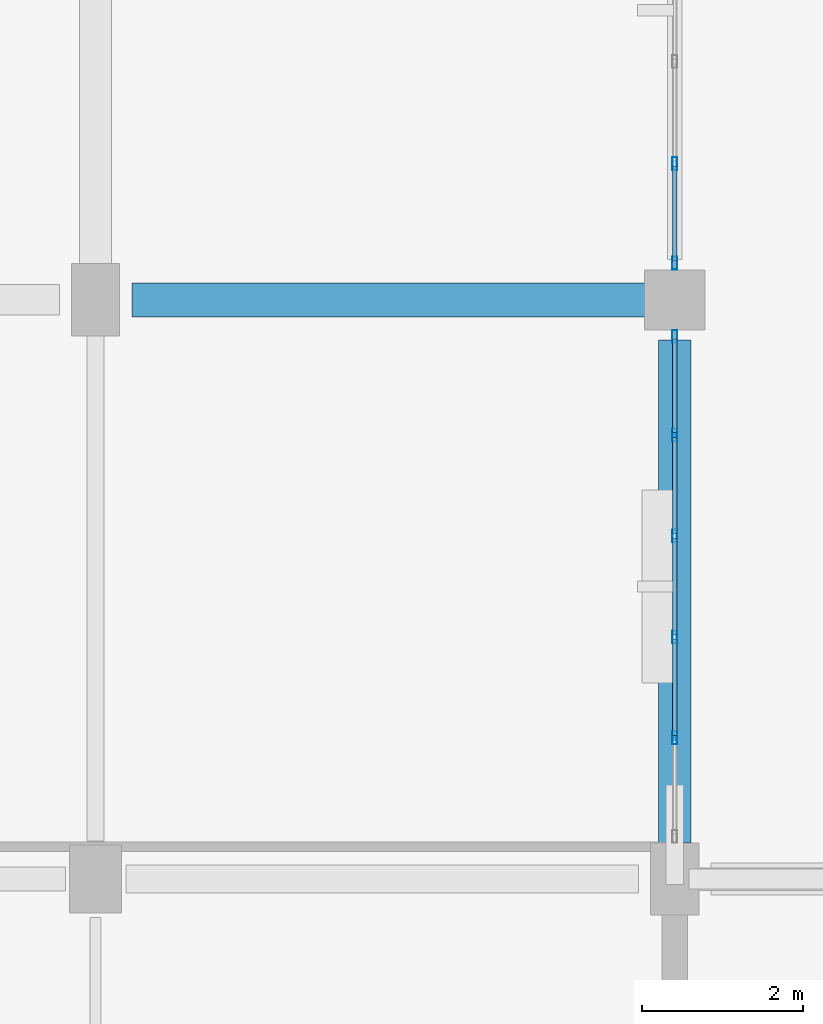
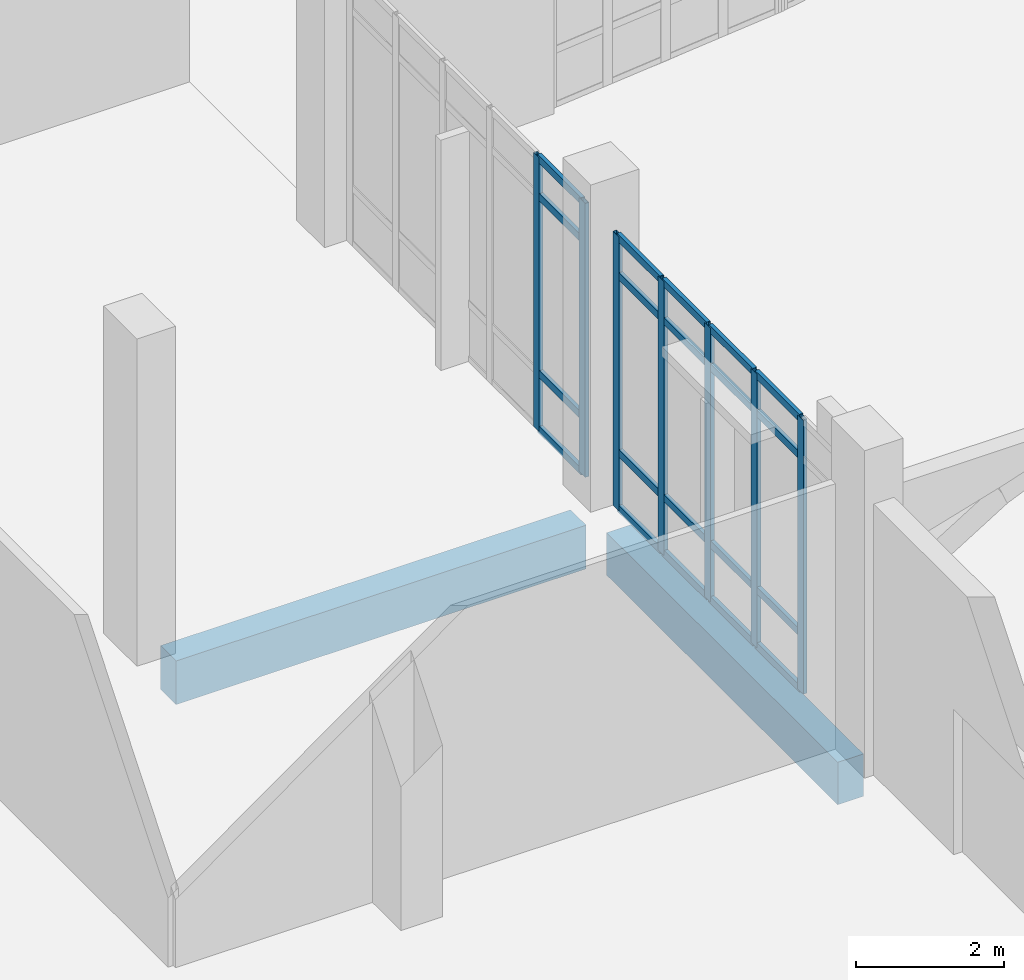
# One storey, part 17 of 110: 27 members, 2 beams, 2 elements without a shape of their own.
"""IFC4 building model written with IfcOpenShell, lengths in metres."""

from ifc_helpers import new_model, si_unit, direction, frame, origin, origin_2d, place, context, subcontext, project, spatial, rectangle, hollow_rectangle, extrude, material, material_profile, profile_set, type_object, element, aggregate, save


model = new_model("IFC4")

# Units and contexts
model_context = context("Model", 3, precision=1e-05, world=origin(), true_north=direction((0.0, 1.0)))
body_context = subcontext(model_context, "Body", "Model", "MODEL_VIEW")
ifc_project = project(units=[si_unit("LENGTHUNIT", "METRE"), si_unit("AREAUNIT", "SQUARE_METRE"), si_unit("VOLUMEUNIT", "CUBIC_METRE"), si_unit("PLANEANGLEUNIT", "RADIAN"), si_unit("MASSUNIT", "GRAM", prefix="KILO")], contexts=[model_context])

# Site, building, storey
site_placement = place(None, origin())
site = spatial("IfcSite", under=ifc_project, at=site_placement, CompositionType="ELEMENT")
building_placement = place(site_placement, origin())
building = spatial("IfcBuilding", under=site, at=building_placement, Name="Kalluvel Institute of Natural Sciences", CompositionType="ELEMENT")
storey_placement = place(building_placement, origin())
storey = spatial("IfcBuildingStorey", under=building, at=storey_placement, Name="L00", CompositionType="ELEMENT", Elevation=0.0)

# Beams
ifc_material_1 = material(Name="Concrete M40", Category="concrete")
ifc_material_profile_1 = material_profile(ifc_material_1, rectangle(XDim=0.39990234375, YDim=0.699951171875, at=origin_2d()), Name="RCB 400x700")
ifc_profile_set_1 = profile_set([ifc_material_profile_1], Name="Concrete M40")
beam_type_1 = type_object("IfcBeamType", Name="BM-RC400x700", PredefinedType="BEAM", material=ifc_profile_set_1)
beam_1_placement = place(storey_placement, frame((35.60009765625, 36.050048828125, -0.669921875), z_axis=(0.0, 1.0, 0.0), x_axis=(-1.0, 0.0, 0.0)))
element("IfcBeam", 1, at=beam_1_placement, inside=storey, type_object=beam_type_1, Name="L00 girder GIR-L00-NS-X356-Y356", PredefinedType="BEAM", context=body_context, shape_type="SweptSolid", body=[
    extrude(rectangle(XDim=0.39990234375, YDim=0.699951171875, at=origin_2d()), origin(), (0.0, 0.0, 1.0), 6.25),
])
ifc_material_profile_2 = material_profile(ifc_material_1, rectangle(XDim=0.419921875, YDim=0.719970703125, at=origin_2d()), Name="RCB 420x720")
ifc_profile_set_2 = profile_set([ifc_material_profile_2], Name="Concrete M40")
beam_type_2 = type_object("IfcBeamType", Name="BM-RC420x720", PredefinedType="BEAM", material=ifc_profile_set_2)
beam_2_placement = place(storey_placement, frame((28.85009765625, 42.800048828125, -0.679931640625), z_axis=(1.0, 0.0, 0.0), x_axis=(0.0, 1.0, 0.0)))
element("IfcBeam", 2, at=beam_2_placement, inside=storey, type_object=beam_type_2, Name="L00 girder GIR-L00-EW-X284-Y428", PredefinedType="BEAM", context=body_context, shape_type="SweptSolid", body=[
    extrude(rectangle(XDim=0.419921875, YDim=0.719970703125, at=origin_2d()), origin(), (0.0, 0.0, 1.0), 6.39990234375),
])

# Curtain wall, members
ifc_material_2 = material(Name="Aluminium AW-6063 T6", Category="aluminium")
curtain_wall_type = type_object("IfcCurtainWallType", Name="CW-DRY-54", PredefinedType="USERDEFINED", material=ifc_material_2)
curtain_wall_1_placement = place(storey_placement, origin())
curtain_wall_1 = element("IfcCurtainWall", 3, at=curtain_wall_1_placement, inside=storey, type_object=curtain_wall_type, Name="L00 Gothic lancet curtain wall CWA-L00-X356-Y361", ObjectType="UNITISED LANCET FACADE", PredefinedType="USERDEFINED")
ifc_material_profile_3 = material_profile(ifc_material_2, hollow_rectangle(XDim=0.06005859375, YDim=0.159912109375, WallThickness=0.00390625, at=origin_2d()), Name="CWM 60x160")
ifc_profile_set_3 = profile_set([ifc_material_profile_3], Name="Aluminium AW-6063 T6")
member_type_1 = type_object("IfcMemberType", Name="CWM-60x160", PredefinedType="MULLION", material=ifc_profile_set_3)
member_1_placement = place(storey_placement, frame((35.60009765625, 37.35498046875, 0.0), z_axis=(0.0, 0.0, 1.0), x_axis=(-1.0, 0.0, 0.0)))
member_1 = element("IfcMember", 4, at=member_1_placement, type_object=member_type_1, Name="CW-04 mullion 2", PredefinedType="MULLION", context=body_context, shape_type="SweptSolid", body=[
    extrude(hollow_rectangle(XDim=0.06005859375, YDim=0.159912109375, WallThickness=0.00390625, at=origin_2d()), origin(), (0.0, 0.0, 1.0), 4.52001953125),
])
member_2_placement = place(storey_placement, frame((35.60009765625, 38.610107421875, 0.0), z_axis=(0.0, 0.0, 1.0), x_axis=(-1.0, 0.0, 0.0)))
member_2 = element("IfcMember", 5, at=member_2_placement, type_object=member_type_1, Name="CW-04 mullion 3", PredefinedType="MULLION", context=body_context, shape_type="SweptSolid", body=[
    extrude(hollow_rectangle(XDim=0.06005859375, YDim=0.159912109375, WallThickness=0.00390625, at=origin_2d()), origin(), (0.0, 0.0, 1.0), 4.52001953125),
])
member_3_placement = place(storey_placement, frame((35.60009765625, 39.864990234375, 0.0), z_axis=(0.0, 0.0, 1.0), x_axis=(-1.0, 0.0, 0.0)))
member_3 = element("IfcMember", 6, at=member_3_placement, type_object=member_type_1, Name="CW-04 mullion 4", PredefinedType="MULLION", context=body_context, shape_type="SweptSolid", body=[
    extrude(hollow_rectangle(XDim=0.06005859375, YDim=0.159912109375, WallThickness=0.00390625, at=origin_2d()), origin(), (0.0, 0.0, 1.0), 4.52001953125),
])
member_4_placement = place(storey_placement, frame((35.60009765625, 41.1201171875, 0.0), z_axis=(0.0, 0.0, 1.0), x_axis=(-1.0, 0.0, 0.0)))
member_4 = element("IfcMember", 7, at=member_4_placement, type_object=member_type_1, Name="CW-04 mullion 5", PredefinedType="MULLION", context=body_context, shape_type="SweptSolid", body=[
    extrude(hollow_rectangle(XDim=0.06005859375, YDim=0.159912109375, WallThickness=0.00390625, at=origin_2d()), origin(), (0.0, 0.0, 1.0), 4.52001953125),
])
member_5_placement = place(storey_placement, frame((35.60009765625, 42.344970703125, 0.0), z_axis=(0.0, 0.0, 1.0), x_axis=(-1.0, 0.0, 0.0)))
member_5 = element("IfcMember", 8, at=member_5_placement, type_object=member_type_1, Name="CW-04 mullion 6", PredefinedType="MULLION", context=body_context, shape_type="SweptSolid", body=[
    extrude(hollow_rectangle(XDim=0.06005859375, YDim=0.159912109375, WallThickness=0.00390625, at=origin_2d()), origin(), (0.0, 0.0, 1.0), 4.52001953125),
])

curtain_wall_2_placement = place(storey_placement, origin())
curtain_wall_2 = element("IfcCurtainWall", 9, at=curtain_wall_2_placement, inside=storey, type_object=curtain_wall_type, Name="L00 Gothic lancet curtain wall CWA-L00-X356-Y432", ObjectType="UNITISED LANCET FACADE", PredefinedType="USERDEFINED")
member_6_placement = place(storey_placement, frame((35.60009765625, 43.2548828125, 0.0), z_axis=(0.0, 0.0, 1.0), x_axis=(-1.0, 0.0, 0.0)))
member_6 = element("IfcMember", 10, at=member_6_placement, type_object=member_type_1, Name="CW-04 mullion 1", PredefinedType="MULLION", context=body_context, shape_type="SweptSolid", body=[
    extrude(hollow_rectangle(XDim=0.06005859375, YDim=0.159912109375, WallThickness=0.00390625, at=origin_2d()), origin(), (0.0, 0.0, 1.0), 4.52001953125),
])
member_7_placement = place(storey_placement, frame((35.60009765625, 44.4951171875, 0.0), z_axis=(0.0, 0.0, 1.0), x_axis=(-1.0, 0.0, 0.0)))
member_7 = element("IfcMember", 11, at=member_7_placement, type_object=member_type_1, Name="CW-04 mullion 2", PredefinedType="MULLION", context=body_context, shape_type="SweptSolid", body=[
    extrude(hollow_rectangle(XDim=0.06005859375, YDim=0.159912109375, WallThickness=0.00390625, at=origin_2d()), origin(), (0.0, 0.0, 1.0), 4.52001953125),
])

# Member
ifc_material_profile_4 = material_profile(ifc_material_2, hollow_rectangle(XDim=0.06005859375, YDim=0.1201171875, WallThickness=0.00390625, at=origin_2d()), Name="CWT 60x120")
ifc_profile_set_4 = profile_set([ifc_material_profile_4], Name="Aluminium AW-6063 T6")
member_type_2 = type_object("IfcMemberType", Name="CWT-60x120", PredefinedType="USERDEFINED", material=ifc_profile_set_4)
member_8_placement = place(storey_placement, frame((35.60009765625, 37.385009765625, 0.030029296875), z_axis=(0.0, 1.0, 0.0), x_axis=(-1.0, 0.0, 0.0)))
member_8 = element("IfcMember", 12, at=member_8_placement, type_object=member_type_2, Name="CW-04 transom 2.1", ObjectType="TRANSOM", PredefinedType="USERDEFINED", context=body_context, shape_type="SweptSolid", body=[
    extrude(hollow_rectangle(XDim=0.06005859375, YDim=0.1201171875, WallThickness=0.00390625, at=origin_2d()), origin(), (0.0, 0.0, 1.0), 1.195068359375),
])

member_9_placement = place(storey_placement, frame((35.60009765625, 37.385009765625, 0.949951171875), z_axis=(0.0, 1.0, 0.0), x_axis=(-1.0, 0.0, 0.0)))
member_9 = element("IfcMember", 13, at=member_9_placement, type_object=member_type_2, Name="CW-04 transom 2.2", ObjectType="TRANSOM", PredefinedType="USERDEFINED", context=body_context, shape_type="SweptSolid", body=[
    extrude(hollow_rectangle(XDim=0.06005859375, YDim=0.1201171875, WallThickness=0.00390625, at=origin_2d()), origin(), (0.0, 0.0, 1.0), 1.195068359375),
])

member_10_placement = place(storey_placement, frame((35.60009765625, 37.385009765625, 3.8701171875), z_axis=(0.0, 1.0, 0.0), x_axis=(-1.0, 0.0, 0.0)))
member_10 = element("IfcMember", 14, at=member_10_placement, type_object=member_type_2, Name="CW-04 transom 2.3", ObjectType="TRANSOM", PredefinedType="USERDEFINED", context=body_context, shape_type="SweptSolid", body=[
    extrude(hollow_rectangle(XDim=0.06005859375, YDim=0.1201171875, WallThickness=0.00390625, at=origin_2d()), origin(), (0.0, 0.0, 1.0), 1.195068359375),
])

member_11_placement = place(storey_placement, frame((35.60009765625, 37.385009765625, 4.489990234375), z_axis=(0.0, 1.0, 0.0), x_axis=(-1.0, 0.0, 0.0)))
member_11 = element("IfcMember", 15, at=member_11_placement, type_object=member_type_2, Name="CW-04 transom 2.4", ObjectType="TRANSOM", PredefinedType="USERDEFINED", context=body_context, shape_type="SweptSolid", body=[
    extrude(hollow_rectangle(XDim=0.06005859375, YDim=0.1201171875, WallThickness=0.00390625, at=origin_2d()), origin(), (0.0, 0.0, 1.0), 1.195068359375),
])

member_12_placement = place(storey_placement, frame((35.60009765625, 38.639892578125, 0.030029296875), z_axis=(0.0, 1.0, 0.0), x_axis=(-1.0, 0.0, 0.0)))
member_12 = element("IfcMember", 16, at=member_12_placement, type_object=member_type_2, Name="CW-04 transom 3.1", ObjectType="TRANSOM", PredefinedType="USERDEFINED", context=body_context, shape_type="SweptSolid", body=[
    extrude(hollow_rectangle(XDim=0.06005859375, YDim=0.1201171875, WallThickness=0.00390625, at=origin_2d()), origin(), (0.0, 0.0, 1.0), 1.195068359375),
])

member_13_placement = place(storey_placement, frame((35.60009765625, 38.639892578125, 0.949951171875), z_axis=(0.0, 1.0, 0.0), x_axis=(-1.0, 0.0, 0.0)))
member_13 = element("IfcMember", 17, at=member_13_placement, type_object=member_type_2, Name="CW-04 transom 3.2", ObjectType="TRANSOM", PredefinedType="USERDEFINED", context=body_context, shape_type="SweptSolid", body=[
    extrude(hollow_rectangle(XDim=0.06005859375, YDim=0.1201171875, WallThickness=0.00390625, at=origin_2d()), origin(), (0.0, 0.0, 1.0), 1.195068359375),
])

member_14_placement = place(storey_placement, frame((35.60009765625, 38.639892578125, 3.8701171875), z_axis=(0.0, 1.0, 0.0), x_axis=(-1.0, 0.0, 0.0)))
member_14 = element("IfcMember", 18, at=member_14_placement, type_object=member_type_2, Name="CW-04 transom 3.3", ObjectType="TRANSOM", PredefinedType="USERDEFINED", context=body_context, shape_type="SweptSolid", body=[
    extrude(hollow_rectangle(XDim=0.06005859375, YDim=0.1201171875, WallThickness=0.00390625, at=origin_2d()), origin(), (0.0, 0.0, 1.0), 1.195068359375),
])

member_15_placement = place(storey_placement, frame((35.60009765625, 38.639892578125, 4.489990234375), z_axis=(0.0, 1.0, 0.0), x_axis=(-1.0, 0.0, 0.0)))
member_15 = element("IfcMember", 19, at=member_15_placement, type_object=member_type_2, Name="CW-04 transom 3.4", ObjectType="TRANSOM", PredefinedType="USERDEFINED", context=body_context, shape_type="SweptSolid", body=[
    extrude(hollow_rectangle(XDim=0.06005859375, YDim=0.1201171875, WallThickness=0.00390625, at=origin_2d()), origin(), (0.0, 0.0, 1.0), 1.195068359375),
])

member_16_placement = place(storey_placement, frame((35.60009765625, 39.89501953125, 0.030029296875), z_axis=(0.0, 1.0, 0.0), x_axis=(-1.0, 0.0, 0.0)))
member_16 = element("IfcMember", 20, at=member_16_placement, type_object=member_type_2, Name="CW-04 transom 4.1", ObjectType="TRANSOM", PredefinedType="USERDEFINED", context=body_context, shape_type="SweptSolid", body=[
    extrude(hollow_rectangle(XDim=0.06005859375, YDim=0.1201171875, WallThickness=0.00390625, at=origin_2d()), origin(), (0.0, 0.0, 1.0), 1.195068359375),
])

member_17_placement = place(storey_placement, frame((35.60009765625, 39.89501953125, 0.949951171875), z_axis=(0.0, 1.0, 0.0), x_axis=(-1.0, 0.0, 0.0)))
member_17 = element("IfcMember", 21, at=member_17_placement, type_object=member_type_2, Name="CW-04 transom 4.2", ObjectType="TRANSOM", PredefinedType="USERDEFINED", context=body_context, shape_type="SweptSolid", body=[
    extrude(hollow_rectangle(XDim=0.06005859375, YDim=0.1201171875, WallThickness=0.00390625, at=origin_2d()), origin(), (0.0, 0.0, 1.0), 1.195068359375),
])

member_18_placement = place(storey_placement, frame((35.60009765625, 39.89501953125, 3.8701171875), z_axis=(0.0, 1.0, 0.0), x_axis=(-1.0, 0.0, 0.0)))
member_18 = element("IfcMember", 22, at=member_18_placement, type_object=member_type_2, Name="CW-04 transom 4.3", ObjectType="TRANSOM", PredefinedType="USERDEFINED", context=body_context, shape_type="SweptSolid", body=[
    extrude(hollow_rectangle(XDim=0.06005859375, YDim=0.1201171875, WallThickness=0.00390625, at=origin_2d()), origin(), (0.0, 0.0, 1.0), 1.195068359375),
])

member_19_placement = place(storey_placement, frame((35.60009765625, 39.89501953125, 4.489990234375), z_axis=(0.0, 1.0, 0.0), x_axis=(-1.0, 0.0, 0.0)))
member_19 = element("IfcMember", 23, at=member_19_placement, type_object=member_type_2, Name="CW-04 transom 4.4", ObjectType="TRANSOM", PredefinedType="USERDEFINED", context=body_context, shape_type="SweptSolid", body=[
    extrude(hollow_rectangle(XDim=0.06005859375, YDim=0.1201171875, WallThickness=0.00390625, at=origin_2d()), origin(), (0.0, 0.0, 1.0), 1.195068359375),
])

member_20_placement = place(storey_placement, frame((35.60009765625, 41.14990234375, 0.030029296875), z_axis=(0.0, 1.0, 0.0), x_axis=(-1.0, 0.0, 0.0)))
member_20 = element("IfcMember", 24, at=member_20_placement, type_object=member_type_2, Name="CW-04 transom 5.1", ObjectType="TRANSOM", PredefinedType="USERDEFINED", context=body_context, shape_type="SweptSolid", body=[
    extrude(hollow_rectangle(XDim=0.06005859375, YDim=0.1201171875, WallThickness=0.00390625, at=origin_2d()), origin(), (0.0, 0.0, 1.0), 1.1650390625),
])

member_21_placement = place(storey_placement, frame((35.60009765625, 41.14990234375, 0.949951171875), z_axis=(0.0, 1.0, 0.0), x_axis=(-1.0, 0.0, 0.0)))
member_21 = element("IfcMember", 25, at=member_21_placement, type_object=member_type_2, Name="CW-04 transom 5.2", ObjectType="TRANSOM", PredefinedType="USERDEFINED", context=body_context, shape_type="SweptSolid", body=[
    extrude(hollow_rectangle(XDim=0.06005859375, YDim=0.1201171875, WallThickness=0.00390625, at=origin_2d()), origin(), (0.0, 0.0, 1.0), 1.1650390625),
])

member_22_placement = place(storey_placement, frame((35.60009765625, 41.14990234375, 3.8701171875), z_axis=(0.0, 1.0, 0.0), x_axis=(-1.0, 0.0, 0.0)))
member_22 = element("IfcMember", 26, at=member_22_placement, type_object=member_type_2, Name="CW-04 transom 5.3", ObjectType="TRANSOM", PredefinedType="USERDEFINED", context=body_context, shape_type="SweptSolid", body=[
    extrude(hollow_rectangle(XDim=0.06005859375, YDim=0.1201171875, WallThickness=0.00390625, at=origin_2d()), origin(), (0.0, 0.0, 1.0), 1.1650390625),
])

member_23_placement = place(storey_placement, frame((35.60009765625, 41.14990234375, 4.489990234375), z_axis=(0.0, 1.0, 0.0), x_axis=(-1.0, 0.0, 0.0)))
member_23 = element("IfcMember", 27, at=member_23_placement, type_object=member_type_2, Name="CW-04 transom 5.4", ObjectType="TRANSOM", PredefinedType="USERDEFINED", context=body_context, shape_type="SweptSolid", body=[
    extrude(hollow_rectangle(XDim=0.06005859375, YDim=0.1201171875, WallThickness=0.00390625, at=origin_2d()), origin(), (0.0, 0.0, 1.0), 1.1650390625),
])

aggregate(curtain_wall_1, [member_1, member_2, member_3, member_4, member_5, member_8, member_9, member_10, member_11, member_12, member_13, member_14, member_15, member_16, member_17, member_18, member_19, member_20, member_21, member_22, member_23])

member_24_placement = place(storey_placement, frame((35.60009765625, 43.284912109375, 0.030029296875), z_axis=(0.0, 1.0, 0.0), x_axis=(-1.0, 0.0, 0.0)))
member_24 = element("IfcMember", 28, at=member_24_placement, type_object=member_type_2, Name="CW-04 transom 1.1", ObjectType="TRANSOM", PredefinedType="USERDEFINED", context=body_context, shape_type="SweptSolid", body=[
    extrude(hollow_rectangle(XDim=0.06005859375, YDim=0.1201171875, WallThickness=0.00390625, at=origin_2d()), origin(), (0.0, 0.0, 1.0), 1.18017578125),
])

member_25_placement = place(storey_placement, frame((35.60009765625, 43.284912109375, 0.949951171875), z_axis=(0.0, 1.0, 0.0), x_axis=(-1.0, 0.0, 0.0)))
member_25 = element("IfcMember", 29, at=member_25_placement, type_object=member_type_2, Name="CW-04 transom 1.2", ObjectType="TRANSOM", PredefinedType="USERDEFINED", context=body_context, shape_type="SweptSolid", body=[
    extrude(hollow_rectangle(XDim=0.06005859375, YDim=0.1201171875, WallThickness=0.00390625, at=origin_2d()), origin(), (0.0, 0.0, 1.0), 1.18017578125),
])

member_26_placement = place(storey_placement, frame((35.60009765625, 43.284912109375, 3.8701171875), z_axis=(0.0, 1.0, 0.0), x_axis=(-1.0, 0.0, 0.0)))
member_26 = element("IfcMember", 30, at=member_26_placement, type_object=member_type_2, Name="CW-04 transom 1.3", ObjectType="TRANSOM", PredefinedType="USERDEFINED", context=body_context, shape_type="SweptSolid", body=[
    extrude(hollow_rectangle(XDim=0.06005859375, YDim=0.1201171875, WallThickness=0.00390625, at=origin_2d()), origin(), (0.0, 0.0, 1.0), 1.18017578125),
])

member_27_placement = place(storey_placement, frame((35.60009765625, 43.284912109375, 4.489990234375), z_axis=(0.0, 1.0, 0.0), x_axis=(-1.0, 0.0, 0.0)))
member_27 = element("IfcMember", 31, at=member_27_placement, type_object=member_type_2, Name="CW-04 transom 1.4", ObjectType="TRANSOM", PredefinedType="USERDEFINED", context=body_context, shape_type="SweptSolid", body=[
    extrude(hollow_rectangle(XDim=0.06005859375, YDim=0.1201171875, WallThickness=0.00390625, at=origin_2d()), origin(), (0.0, 0.0, 1.0), 1.18017578125),
])

aggregate(curtain_wall_2, [member_6, member_7, member_24, member_25, member_26, member_27])

save(model, "model.ifc")
